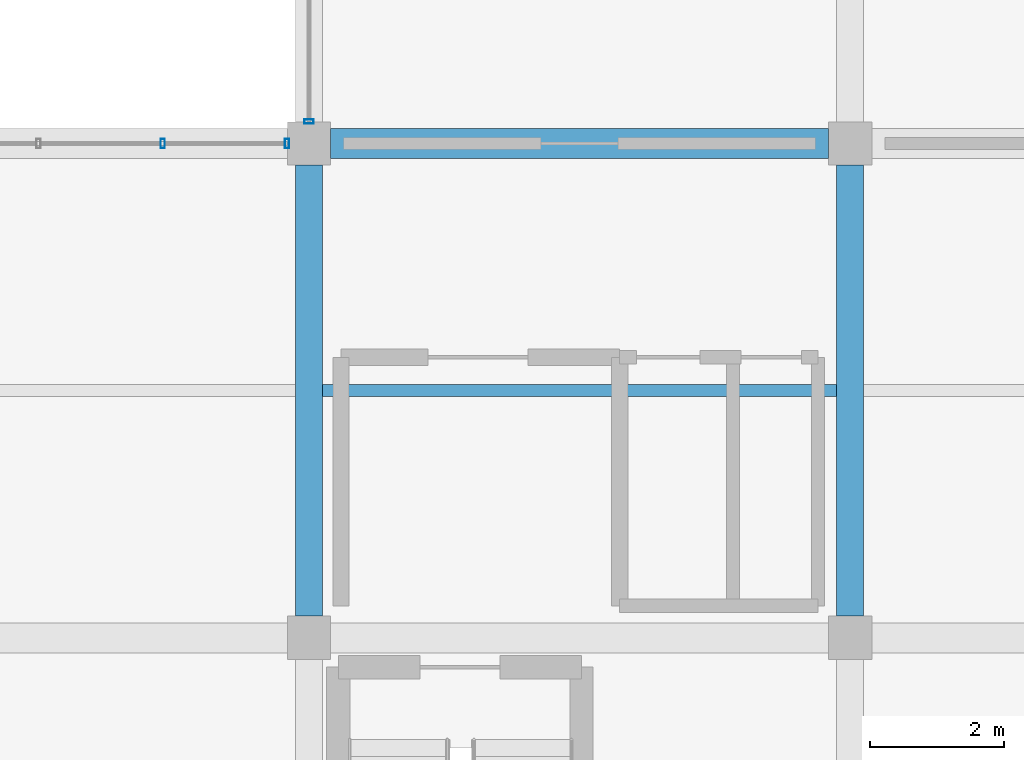
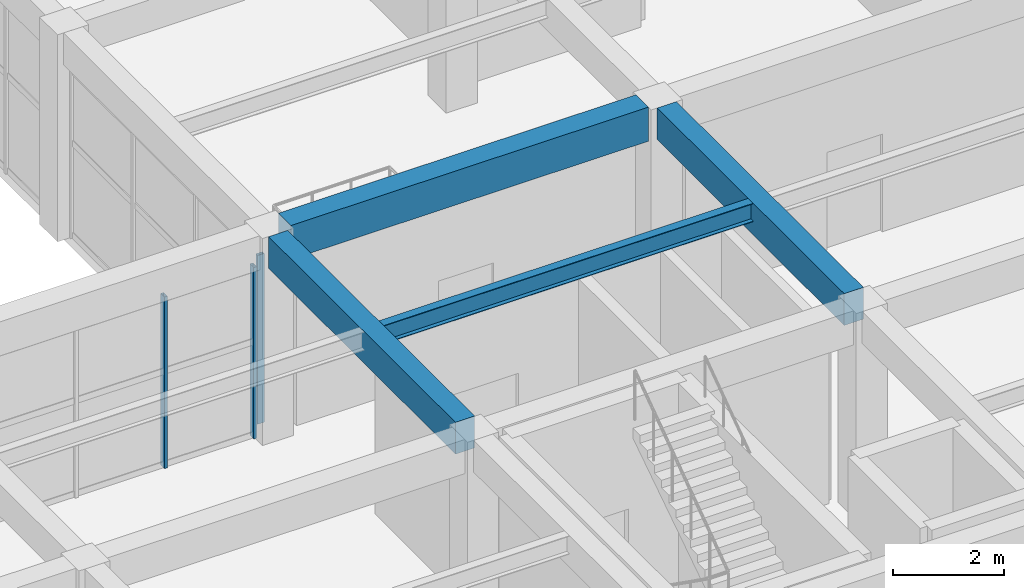
# One storey, part 109 of 161: 4 beams, 3 members, 2 elements without a shape of their own.
"""IFC4 building model written with IfcOpenShell, lengths in metres."""

from ifc_helpers import new_model, si_unit, direction, frame, origin, origin_2d, place, context, subcontext, project, spatial, rectangle, hollow_rectangle, i_section, extrude, material, material_profile, profile_set, type_object, element, aggregate, save


model = new_model("IFC4")

# Units and contexts
model_context = context("Model", 3, precision=1e-05, world=origin(), true_north=direction((0.0, 1.0)))
body_context = subcontext(model_context, "Body", "Model", "MODEL_VIEW")
ifc_project = project(units=[si_unit("LENGTHUNIT", "METRE"), si_unit("AREAUNIT", "SQUARE_METRE"), si_unit("VOLUMEUNIT", "CUBIC_METRE"), si_unit("PLANEANGLEUNIT", "RADIAN"), si_unit("MASSUNIT", "GRAM", prefix="KILO")], contexts=[model_context])

# Site, building, storey
site_placement = place(None, origin())
site = spatial("IfcSite", under=ifc_project, at=site_placement, CompositionType="ELEMENT")
building_placement = place(site_placement, origin())
building = spatial("IfcBuilding", under=site, at=building_placement, Name="Cimatlan Art Gallery", CompositionType="ELEMENT")
storey_placement = place(building_placement, frame((0.0, 0.0, 5.39990234375)))
storey = spatial("IfcBuildingStorey", under=building, at=storey_placement, Name="L01", CompositionType="ELEMENT", Elevation=5.39990234375)

# Beams
ifc_material_1 = material(Name="Concrete C40/50", Category="concrete")
ifc_material_profile_1 = material_profile(ifc_material_1, rectangle(XDim=0.39990234375, YDim=0.699951171875, at=origin_2d()), Name="RC400X700")
ifc_profile_set_1 = profile_set([ifc_material_profile_1], Name="Concrete C40/50")
beam_type_1 = type_object("IfcBeamType", Name="BM-RC-400X700", PredefinedType="BEAM", material=ifc_profile_set_1)
for number, where, z_axis, x_axis, name in (
    (1, (147.800048828125, 31.625, 4.210205078125), (0.0, 1.0, 0.0), (-1.0, 0.0, 0.0), "BM-Y-L01-18-04"),
    (2, (155.89990234375, 31.625, 4.210205078125), (0.0, 1.0, 0.0), (-1.0, 0.0, 0.0), "BM-Y-L01-19-04"),
):
    element("IfcBeam", number, at=place(storey_placement, frame(where, z_axis=z_axis, x_axis=x_axis)), inside=storey, type_object=beam_type_1, Name=name, PredefinedType="BEAM", context=body_context, shape_type="SweptSolid", body=[
        extrude(rectangle(XDim=0.39990234375, YDim=0.699951171875, at=origin_2d()), origin(), (0.0, 0.0, 1.0), 6.75),
    ])
ifc_material_profile_2 = material_profile(ifc_material_1, rectangle(XDim=0.449951171875, YDim=0.75, at=origin_2d()), Name="RC450X750")
ifc_profile_set_2 = profile_set([ifc_material_profile_2], Name="Concrete C40/50")
beam_type_2 = type_object("IfcBeamType", Name="BM-RC-450X750", PredefinedType="BEAM", material=ifc_profile_set_2)
beam_1_placement = place(storey_placement, frame((148.125, 38.699951171875, 4.18505859375), z_axis=(1.0, 0.0, 0.0), x_axis=(0.0, 1.0, 0.0)))
element("IfcBeam", 3, at=beam_1_placement, inside=storey, type_object=beam_type_2, Name="BM-X-L01-18-05", PredefinedType="BEAM", context=body_context, shape_type="SweptSolid", body=[
    extrude(rectangle(XDim=0.449951171875, YDim=0.75, at=origin_2d()), origin(), (0.0, 0.0, 1.0), 7.449951171875),
])
ifc_material_2 = material(Name="Steel ASTM A992 Grade 50", Category="steel")
ifc_material_profile_3 = material_profile(ifc_material_2, i_section(OverallWidth=0.177978515625, OverallDepth=0.406982421875, WebThickness=0.0078125, FlangeThickness=0.0126953125, at=origin_2d()), Name="W16X40")
ifc_profile_set_3 = profile_set([ifc_material_profile_3], Name="Steel ASTM A992 Grade 50")
beam_type_3 = type_object("IfcBeamType", Name="BM-STL-W16X40", PredefinedType="JOIST", material=ifc_profile_set_3)
beam_2_placement = place(storey_placement, frame((148.0, 35.0, 4.356689453125), z_axis=(1.0, 0.0, 0.0), x_axis=(0.0, 1.0, 0.0)))
element("IfcBeam", 4, at=beam_2_placement, inside=storey, type_object=beam_type_3, Name="JST-L01-18-04", PredefinedType="JOIST", context=body_context, shape_type="SweptSolid", body=[
    extrude(i_section(OverallWidth=0.177978515625, OverallDepth=0.406982421875, WebThickness=0.0078125, FlangeThickness=0.0126953125, at=origin_2d()), origin(), (0.0, 0.0, 1.0), 7.699951171875),
])

# Curtain wall, members
ifc_material_3 = material(Name="Anodised bronze unitised curtain wall")
curtain_wall_type_1 = type_object("IfcCurtainWallType", Name="CW-V-07442X03780-B4", PredefinedType="NOTDEFINED", material=ifc_material_3)
curtain_wall_1_placement = place(storey_placement, origin())
curtain_wall_1 = element("IfcCurtainWall", 5, at=curtain_wall_1_placement, inside=storey, type_object=curtain_wall_type_1, Name="CW-L01-17-04-N", PredefinedType="NOTDEFINED")
ifc_material_4 = material(Name="Anodised bronze aluminium 6063-T6", Category="aluminium")
ifc_material_profile_4 = material_profile(ifc_material_4, hollow_rectangle(XDim=0.06494140625, YDim=0.139892578125, WallThickness=0.00390625, at=origin_2d()), Name="ALU65X140X4")
ifc_profile_set_4 = profile_set([ifc_material_profile_4], Name="Anodised bronze aluminium 6063-T6")
member_type = type_object("IfcMemberType", Name="CW-MUL-140", PredefinedType="MULLION", material=ifc_profile_set_4)
member_1_placement = place(storey_placement, frame((145.610595703125, 38.699951171875, 0.0), z_axis=(0.0, 0.0, 1.0), x_axis=(1.0, 0.0, 0.0)))
member_1 = element("IfcMember", 6, at=member_1_placement, type_object=member_type, Name="CW-L01-17-04-N-M4", PredefinedType="MULLION", context=body_context, shape_type="SweptSolid", body=[
    extrude(hollow_rectangle(XDim=0.06494140625, YDim=0.139892578125, WallThickness=0.00390625, at=origin_2d()), origin(), (0.0, 0.0, 1.0), 3.780029296875),
])
member_2_placement = place(storey_placement, frame((147.470947265625, 38.699951171875, 0.0), z_axis=(0.0, 0.0, 1.0), x_axis=(1.0, 0.0, 0.0)))
member_2 = element("IfcMember", 7, at=member_2_placement, type_object=member_type, Name="CW-L01-17-04-N-M5", PredefinedType="MULLION", context=body_context, shape_type="SweptSolid", body=[
    extrude(hollow_rectangle(XDim=0.06494140625, YDim=0.139892578125, WallThickness=0.00390625, at=origin_2d()), origin(), (0.0, 0.0, 1.0), 3.780029296875),
])
aggregate(curtain_wall_1, [member_1, member_2])

# Curtain wall, member
curtain_wall_type_2 = type_object("IfcCurtainWallType", Name="CW-V-06742X03720-B3", PredefinedType="NOTDEFINED", material=ifc_material_3)
curtain_wall_2_placement = place(storey_placement, origin())
curtain_wall_2 = element("IfcCurtainWall", 8, at=curtain_wall_2_placement, inside=storey, type_object=curtain_wall_type_2, Name="CW-L01-18-05-W", PredefinedType="NOTDEFINED")
member_3_placement = place(storey_placement, frame((147.800048828125, 39.029052734375, 0.0), z_axis=(0.0, 0.0, 1.0), x_axis=(0.0, 1.0, 0.0)))
member_3 = element("IfcMember", 9, at=member_3_placement, type_object=member_type, Name="CW-L01-18-05-W-M1", PredefinedType="MULLION", context=body_context, shape_type="SweptSolid", body=[
    extrude(hollow_rectangle(XDim=0.06494140625, YDim=0.139892578125, WallThickness=0.00390625, at=origin_2d()), origin(), (0.0, 0.0, 1.0), 3.72021484375),
])
aggregate(curtain_wall_2, [member_3])

save(model, "model.ifc")
